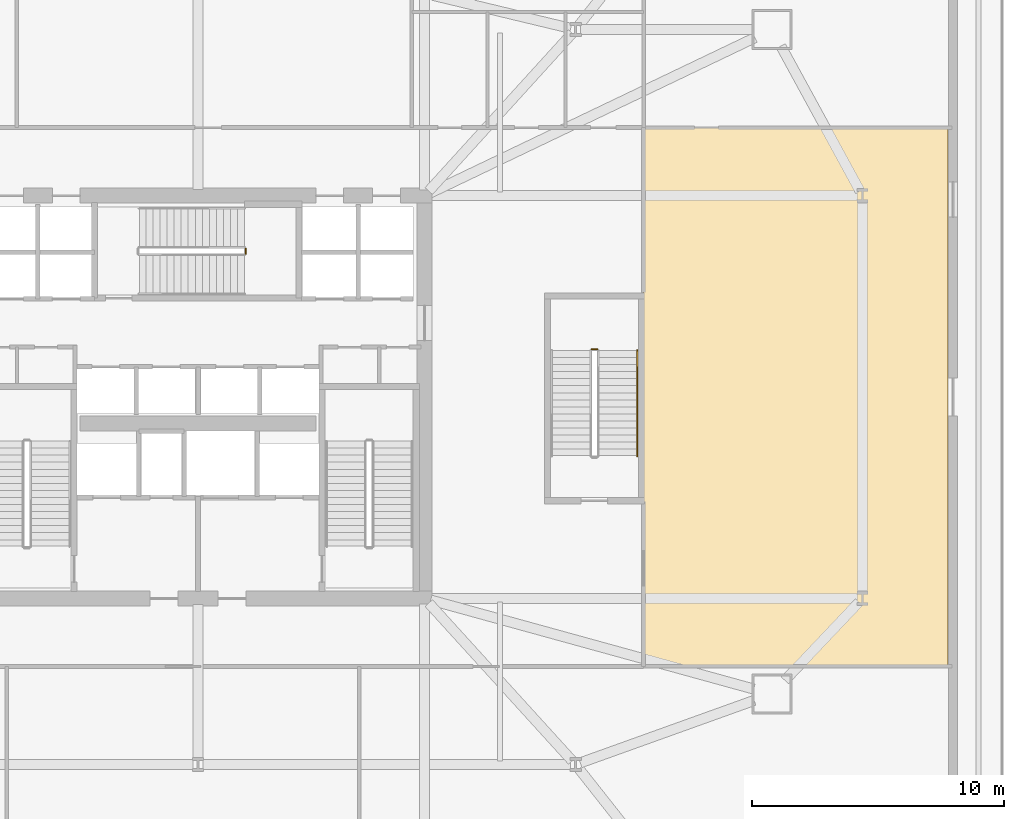
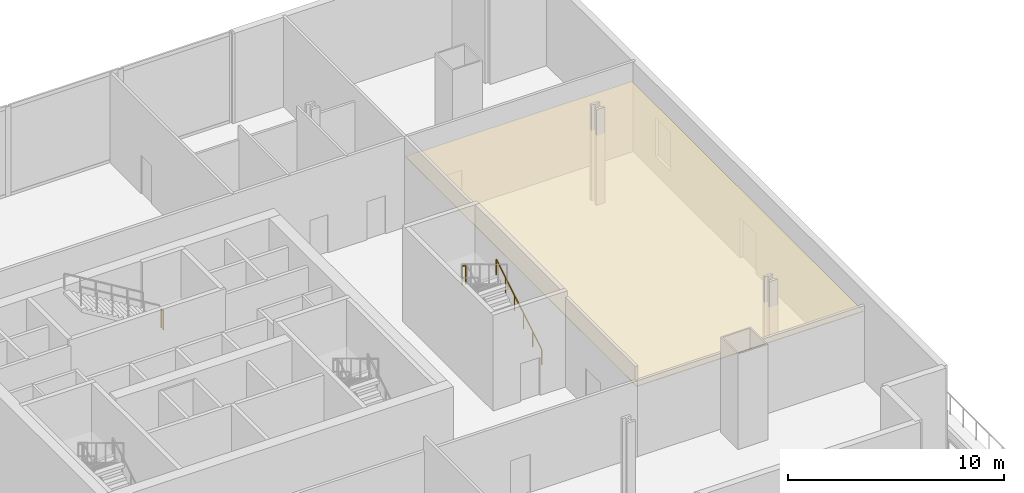
# One storey, part 18 of 20: 3 railings, 1 covering.
"""IFC4 building model written with IfcOpenShell, lengths in metres."""

from ifc_helpers import new_model, si_unit, direction, frame, origin, origin_2d, place, context, subcontext, project, spatial, polyline, rectangle, outline, extrude, material, layer, layer_set, type_object, element, save


model = new_model("IFC4")

# Units and contexts
model_context = context("Model", 3, precision=1e-05, world=origin(), true_north=direction((0.0, 1.0)))
body_context = subcontext(model_context, "Body", "Model", "MODEL_VIEW")
ifc_project = project(units=[si_unit("LENGTHUNIT", "METRE"), si_unit("AREAUNIT", "SQUARE_METRE"), si_unit("VOLUMEUNIT", "CUBIC_METRE"), si_unit("PLANEANGLEUNIT", "RADIAN"), si_unit("MASSUNIT", "GRAM", prefix="KILO")], contexts=[model_context])

# Site, building, storey
site_placement = place(None, origin())
site = spatial("IfcSite", under=ifc_project, at=site_placement, CompositionType="ELEMENT")
building_placement = place(site_placement, origin())
building = spatial("IfcBuilding", under=site, at=building_placement, Name="Haldenkirk Collegiate Tower", CompositionType="ELEMENT")
storey_placement = place(building_placement, frame((0.0, 0.0, 6.0)))
storey = spatial("IfcBuildingStorey", under=building, at=storey_placement, Name="L01", CompositionType="ELEMENT", Elevation=6.0)

# Covering
ifc_material_1 = material(Name="Suspended mineral-fibre acoustic tile", Category="concrete")
ifc_layer = layer(ifc_material_1, 0.0400390625)
ifc_layer_set = layer_set([ifc_layer], Name="Suspended mineral-fibre acoustic tile")
covering_type = type_object("IfcCoveringType", Name="COV-CEIL-ACOUSTIC", PredefinedType="CEILING", material=ifc_layer_set)
covering_placement = place(storey_placement, frame((0.0, 0.0, 3.89990234375)))
element("IfcCovering", 1, at=covering_placement, inside=storey, type_object=covering_type, Name="L01 acoustic suspended ceiling CLG-L01-LT2", PredefinedType="CEILING", context=body_context, shape_type="SweptSolid", body=[
    extrude(outline(polyline([(53.699951171875, 15.300048828125), (65.800048828125, 15.300048828125), (65.800048828125, 36.699951171875), (53.699951171875, 36.699951171875), (53.699951171875, 15.300048828125)])), origin(), (0.0, 0.0, 1.0), 0.0400390625),
])

# Railings
ifc_material_2 = material(Name="Painted architectural tubular steel", Category="steel")
railing_type_1 = type_object("IfcRailingType", Name="RLG-STAIR-GUARD-1100", PredefinedType="BALUSTRADE", material=ifc_material_2)
railing_1_placement = place(storey_placement, frame((37.89990234375, 31.699951171875, 2.699951171875)))
element("IfcRailing", 2, at=railing_1_placement, inside=storey, type_object=railing_type_1, Name="L01 ST-3 stair guard 2", PredefinedType="BALUSTRADE", context=body_context, shape_type="SweptSolid", body=[
    extrude(rectangle(XDim=0.048095703125, YDim=0.048095703125, at=origin_2d()), frame((0.0, 0.0, 1.076171875), z_axis=(0.0, 1.0, 0.0), x_axis=(-1.0, 0.0, 0.0)), (0.0, 0.0, 1.0), 0.199951171875),
    extrude(rectangle(XDim=0.0419921875, YDim=0.0419921875, at=origin_2d()), origin(), (0.0, 0.0, 1.0), 1.052001953125),
    extrude(rectangle(XDim=0.0419921875, YDim=0.0419921875, at=origin_2d()), frame((0.0, 0.199951171875, 0.0)), (0.0, 0.0, 1.0), 1.052001953125),
])
railing_2_placement = place(storey_placement, frame((51.85009765625, 27.89990234375, 2.699951171875)))
element("IfcRailing", 3, at=railing_2_placement, inside=storey, type_object=railing_type_1, Name="L01 ST-5 stair guard 2", PredefinedType="BALUSTRADE", context=body_context, shape_type="SweptSolid", body=[
    extrude(rectangle(XDim=0.048095703125, YDim=0.048095703125, at=origin_2d()), frame((0.0, 0.0, 1.076171875), z_axis=(-1.0, 0.0, 0.0), x_axis=(0.0, -1.0, 0.0)), (0.0, 0.0, 1.0), 0.2001953125),
    extrude(rectangle(XDim=0.0419921875, YDim=0.0419921875, at=origin_2d()), origin(), (0.0, 0.0, 1.0), 1.052001953125),
    extrude(rectangle(XDim=0.0419921875, YDim=0.0419921875, at=origin_2d()), frame((-0.2001953125, 0.0, 0.0)), (0.0, 0.0, 1.0), 1.052001953125),
])
railing_type_2 = type_object("IfcRailingType", Name="RLG-STAIR-HANDRAIL-900", PredefinedType="HANDRAIL", material=ifc_material_2)
railing_3_placement = place(storey_placement, frame((53.449951171875, 23.64990234375, 0.168701171875)))
element("IfcRailing", 4, at=railing_3_placement, inside=storey, type_object=railing_type_2, Name="L01 ST-5 stair handrail 1", PredefinedType="HANDRAIL", context=body_context, shape_type="SweptSolid", body=[
    extrude(rectangle(XDim=0.048095703125, YDim=0.048095703125, at=origin_2d()), frame((0.0, 0.0, 0.8759765625), z_axis=(0.0, 0.856489757249, 0.516164020179), x_axis=(-1.0, 0.0, 0.0)), (0.0, 0.0, 1.0), 4.904052734375),
    extrude(rectangle(XDim=0.0419921875, YDim=0.0419921875, at=origin_2d()), origin(), (0.0, 0.0, 1.0), 0.851806640625),
    extrude(rectangle(XDim=0.0419921875, YDim=0.0419921875, at=origin_2d()), frame((0.0, 0.840087890625, 0.50634765625)), (0.0, 0.0, 1.0), 0.851806640625),
    extrude(rectangle(XDim=0.0419921875, YDim=0.0419921875, at=origin_2d()), frame((0.0, 1.68017578125, 1.012451171875)), (0.0, 0.0, 1.0), 0.851806640625),
    extrude(rectangle(XDim=0.0419921875, YDim=0.0419921875, at=origin_2d()), frame((0.0, 2.52001953125, 1.518798828125)), (0.0, 0.0, 1.0), 0.851806640625),
    extrude(rectangle(XDim=0.0419921875, YDim=0.0419921875, at=origin_2d()), frame((0.0, 3.360107421875, 2.02490234375)), (0.0, 0.0, 1.0), 0.851806640625),
    extrude(rectangle(XDim=0.0419921875, YDim=0.0419921875, at=origin_2d()), frame((0.0, 4.2001953125, 2.53125)), (0.0, 0.0, 1.0), 0.851806640625),
])

save(model, "model.ifc")
